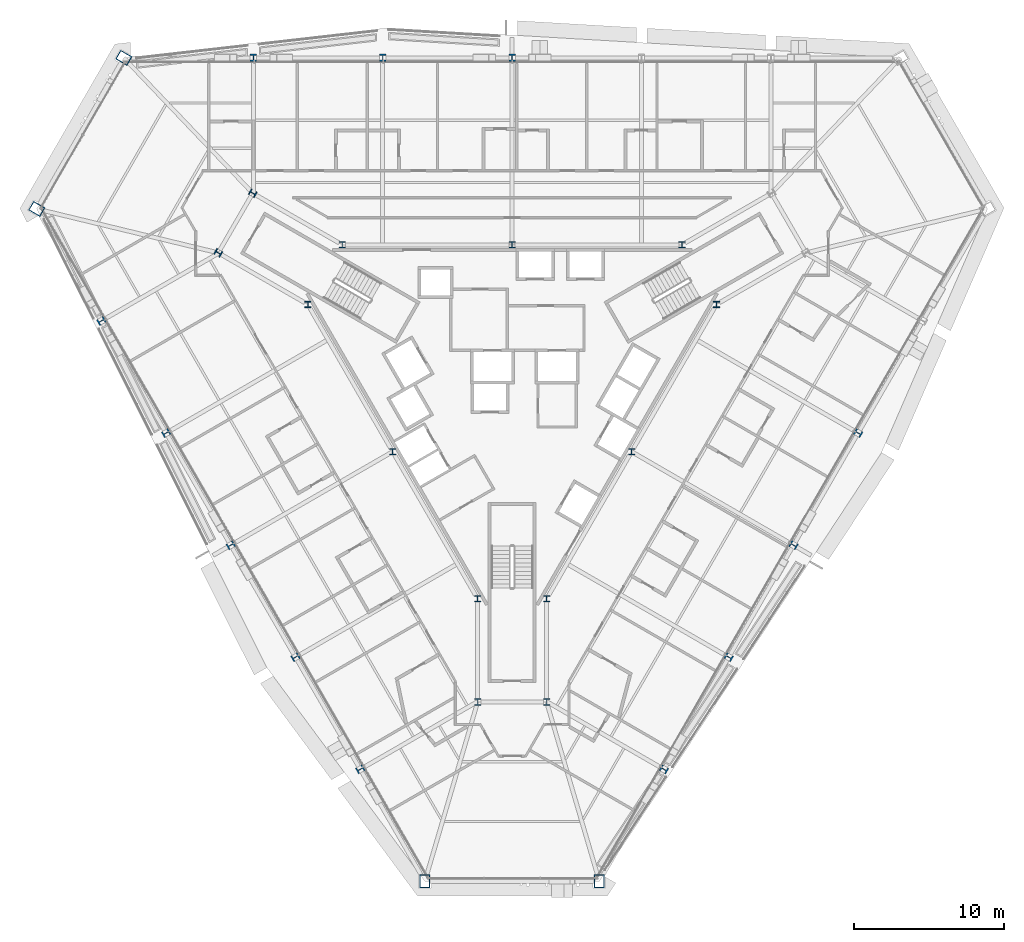
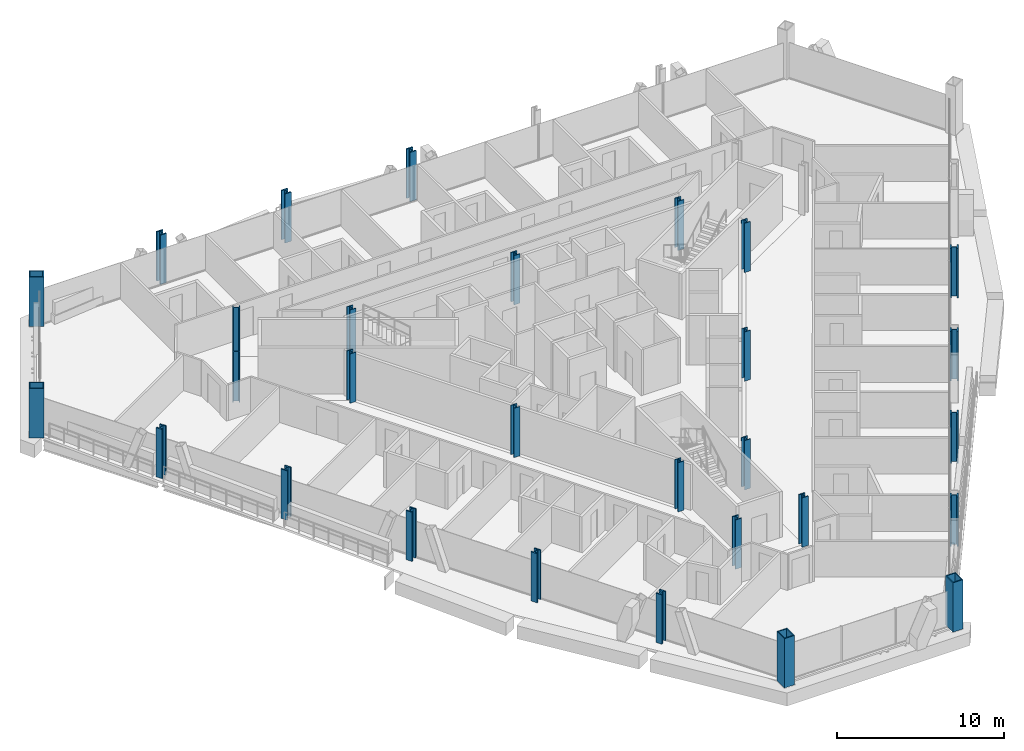
# One storey, part 1 of 18: 29 columns.
"""IFC4 building model written with IfcOpenShell, lengths in metres."""

from ifc_helpers import new_model, si_unit, direction, frame, origin, origin_2d, place, context, subcontext, project, spatial, hollow_rectangle, i_section, extrude, material, material_profile, profile_set, type_object, element, save


model = new_model("IFC4")

# Units and contexts
model_context = context("Model", 3, precision=1e-05, world=origin(), true_north=direction((0.0, 1.0)))
body_context = subcontext(model_context, "Body", "Model", "MODEL_VIEW")
ifc_project = project(units=[si_unit("LENGTHUNIT", "METRE"), si_unit("AREAUNIT", "SQUARE_METRE"), si_unit("VOLUMEUNIT", "CUBIC_METRE"), si_unit("PLANEANGLEUNIT", "RADIAN"), si_unit("MASSUNIT", "GRAM", prefix="KILO")], contexts=[model_context])

# Site, building, storey
site_placement = place(None, origin())
site = spatial("IfcSite", under=ifc_project, at=site_placement, CompositionType="ELEMENT")
building_placement = place(site_placement, origin())
building = spatial("IfcBuilding", under=site, at=building_placement, Name="Verrane Prism Tower", CompositionType="ELEMENT")
storey_placement = place(building_placement, frame((0.0, 0.0, 80.0)))
storey = spatial("IfcBuildingStorey", under=building, at=storey_placement, Name="L18", CompositionType="ELEMENT", Elevation=80.0)

# Columns
ifc_material_1 = material(Name="Steel A992", Category="steel")
ifc_material_profile_1 = material_profile(ifc_material_1, i_section(OverallWidth=0.419189453125, OverallDepth=0.45458984375, WebThickness=0.042236328125, FlangeThickness=0.067626953125, FilletRadius=0.01513671875, at=origin_2d()), Name="W14x370")
ifc_profile_set_1 = profile_set([ifc_material_profile_1], Name="Steel A992")
column_type_1 = type_object("IfcColumnType", Name="Core corner column W14x370", PredefinedType="COLUMN", material=ifc_profile_set_1)
for number, where, z_axis, x_axis, name in (
    (1, (-17.300048828125, 12.639892578125, 0.0), (0.0, 0.0, 1.0), (0.5, 0.866025403784, 0.0), "Core corner column CK-NWm L18"),
    (2, (-19.60009765625, 8.659912109375, 0.0), (0.0, 0.0, 1.0), (0.5, 0.866025403784, 0.0), "Core corner column CK-NWp L18"),
    (3, (-2.300048828125, -21.300048828125, 0.0), (0.0, 0.0, 1.0), (-1.0, 0.0, 0.0), "Core corner column CK-Sm L18"),
    (4, (2.300048828125, -21.300048828125, 0.0), (0.0, 0.0, 1.0), (-1.0, 0.0, 0.0), "Core corner column CK-Sp L18"),
):
    element("IfcColumn", number, at=place(storey_placement, frame(where, z_axis=z_axis, x_axis=x_axis)), inside=storey, type_object=column_type_1, Name=name, PredefinedType="COLUMN", context=body_context, shape_type="SweptSolid", body=[
        extrude(i_section(OverallWidth=0.419189453125, OverallDepth=0.45458984375, WebThickness=0.042236328125, FlangeThickness=0.067626953125, FilletRadius=0.01513671875, at=origin_2d()), origin(), (0.0, 0.0, 1.0), 3.60009765625),
    ])
ifc_material_2 = material(Name="Steel A992", Category="steel")
ifc_material_profile_2 = material_profile(ifc_material_2, i_section(OverallWidth=0.406494140625, OverallDepth=0.41650390625, WebThickness=0.030029296875, FlangeThickness=0.048095703125, FilletRadius=0.01513671875, at=origin_2d()), Name="W14x257")
ifc_profile_set_2 = profile_set([ifc_material_profile_2], Name="Steel A992")
column_type_2 = type_object("IfcColumnType", Name="Core side column W14x257", PredefinedType="COLUMN", material=ifc_profile_set_2)
for number, where, z_axis, x_axis, name in (
    (5, (13.6298828125, 5.219970703125, 0.0), (0.0, 0.0, 1.0), (1.0, 0.0, 0.0), "Core side column CC-NEm L18"),
    (6, (11.330078125, 9.199951171875, 0.0), (0.0, 0.0, 1.0), (1.0, 0.0, 0.0), "Core side column CC-NEp L18"),
    (7, (0.0, 9.199951171875, 0.0), (0.0, 0.0, 1.0), (1.0, 0.0, 0.0), "Core side column CC-N0 L18"),
    (8, (-11.330078125, 9.199951171875, 0.0), (0.0, 0.0, 1.0), (1.0, 0.0, 0.0), "Core side column CC-NWm L18"),
    (9, (-13.6298828125, 5.219970703125, 0.0), (0.0, 0.0, 1.0), (1.0, 0.0, 0.0), "Core side column CC-NWp L18"),
    (10, (-7.969970703125, -4.60009765625, 0.0), (0.0, 0.0, 1.0), (1.0, 0.0, 0.0), "Core side column CC-SW0 L18"),
    (11, (-2.300048828125, -14.419921875, 0.0), (0.0, 0.0, 1.0), (1.0, 0.0, 0.0), "Core side column CC-Sm L18"),
    (12, (2.300048828125, -14.419921875, 0.0), (0.0, 0.0, 1.0), (1.0, 0.0, 0.0), "Core side column CC-Sp L18"),
    (13, (7.969970703125, -4.60009765625, 0.0), (0.0, 0.0, 1.0), (1.0, 0.0, 0.0), "Core side column CC-SE0 L18"),
):
    element("IfcColumn", number, at=place(storey_placement, frame(where, z_axis=z_axis, x_axis=x_axis)), inside=storey, type_object=column_type_2, Name=name, PredefinedType="COLUMN", context=body_context, shape_type="SweptSolid", body=[
        extrude(i_section(OverallWidth=0.406494140625, OverallDepth=0.41650390625, WebThickness=0.030029296875, FlangeThickness=0.048095703125, FilletRadius=0.01513671875, at=origin_2d()), origin(), (0.0, 0.0, 1.0), 3.60009765625),
    ])
ifc_material_3 = material(Name="Steel A572 Grade 50", Category="steel")
ifc_material_profile_3 = material_profile(ifc_material_3, hollow_rectangle(XDim=0.699951171875, YDim=0.89990234375, WallThickness=0.06494140625, at=origin_2d()), Name="BOX 900x700x65")
ifc_profile_set_3 = profile_set([ifc_material_profile_3], Name="Steel A572 Grade 50")
column_type_3 = type_object("IfcColumnType", Name="Megacolumn BOX 900x700x65", PredefinedType="COLUMN", material=ifc_profile_set_3)
for number, where, z_axis, x_axis, name in (
    (14, (-25.89990234375, 21.669921875, 0.0), (0.0, 0.0, 1.0), (0.5, 0.866025403784, 0.0), "Megacolumn MC-NW.a L18"),
    (15, (-31.7099609375, 11.590087890625, 0.0), (0.0, 0.0, 1.0), (0.5, 0.866025403784, 0.0), "Megacolumn MC-NW.b L18"),
    (16, (-5.820068359375, -33.260009765625, 0.0), (0.0, 0.0, 1.0), (-1.0, 0.0, 0.0), "Megacolumn MC-S.a L18"),
    (17, (5.820068359375, -33.260009765625, 0.0), (0.0, 0.0, 1.0), (-1.0, 0.0, 0.0), "Megacolumn MC-S.b L18"),
):
    element("IfcColumn", number, at=place(storey_placement, frame(where, z_axis=z_axis, x_axis=x_axis)), inside=storey, type_object=column_type_3, Name=name, PredefinedType="COLUMN", context=body_context, shape_type="SweptSolid", body=[
        extrude(hollow_rectangle(XDim=0.699951171875, YDim=0.89990234375, WallThickness=0.06494140625, at=origin_2d()), origin(), (0.0, 0.0, 1.0), 3.60009765625),
    ])
ifc_material_4 = material(Name="Steel A992", Category="steel")
ifc_material_profile_4 = material_profile(ifc_material_4, i_section(OverallWidth=0.431884765625, OverallDepth=0.497802734375, WebThickness=0.0556640625, FlangeThickness=0.0888671875, FilletRadius=0.01513671875, at=origin_2d()), Name="W14x500")
ifc_profile_set_4 = profile_set([ifc_material_profile_4], Name="Steel A992")
column_type_4 = type_object("IfcColumnType", Name="Perimeter column W14x500", PredefinedType="COLUMN", material=ifc_profile_set_4)
for number, where, z_axis, x_axis, name in (
    (18, (0.0, 21.669921875, 0.0), (0.0, 0.0, 1.0), (1.0, 0.0, 0.0), "Perimeter column PC-N3 L18"),
    (19, (-8.6298828125, 21.669921875, 0.0), (0.0, 0.0, 1.0), (1.0, 0.0, 0.0), "Perimeter column PC-N4 L18"),
    (20, (-17.260009765625, 21.669921875, 0.0), (0.0, 0.0, 1.0), (1.0, 0.0, 0.0), "Perimeter column PC-N5 L18"),
    (21, (-27.39990234375, 4.1201171875, 0.0), (0.0, 0.0, 1.0), (-0.5, 0.866025403784, 0.0), "Perimeter column PC-SW1 L18"),
    (22, (-23.080078125, -3.360107421875, 0.0), (0.0, 0.0, 1.0), (-0.5, 0.866025403784, 0.0), "Perimeter column PC-SW2 L18"),
    (23, (-18.77001953125, -10.840087890625, 0.0), (0.0, 0.0, 1.0), (-0.5, 0.866025403784, 0.0), "Perimeter column PC-SW3 L18"),
    (24, (-14.449951171875, -18.31005859375, 0.0), (0.0, 0.0, 1.0), (-0.5, 0.866025403784, 0.0), "Perimeter column PC-SW4 L18"),
    (25, (-10.1298828125, -25.7900390625, 0.0), (0.0, 0.0, 1.0), (-0.5, 0.866025403784, 0.0), "Perimeter column PC-SW5 L18"),
    (26, (10.1298828125, -25.7900390625, 0.0), (0.0, 0.0, 1.0), (-0.5, -0.866025403784, 0.0), "Perimeter column PC-SE1 L18"),
    (27, (14.449951171875, -18.31005859375, 0.0), (0.0, 0.0, 1.0), (-0.5, -0.866025403784, 0.0), "Perimeter column PC-SE2 L18"),
    (28, (18.77001953125, -10.840087890625, 0.0), (0.0, 0.0, 1.0), (-0.5, -0.866025403784, 0.0), "Perimeter column PC-SE3 L18"),
    (29, (23.080078125, -3.360107421875, 0.0), (0.0, 0.0, 1.0), (-0.5, -0.866025403784, 0.0), "Perimeter column PC-SE4 L18"),
):
    element("IfcColumn", number, at=place(storey_placement, frame(where, z_axis=z_axis, x_axis=x_axis)), inside=storey, type_object=column_type_4, Name=name, PredefinedType="COLUMN", context=body_context, shape_type="SweptSolid", body=[
        extrude(i_section(OverallWidth=0.431884765625, OverallDepth=0.497802734375, WebThickness=0.0556640625, FlangeThickness=0.0888671875, FilletRadius=0.01513671875, at=origin_2d()), origin(), (0.0, 0.0, 1.0), 3.60009765625),
    ])

save(model, "model.ifc")
